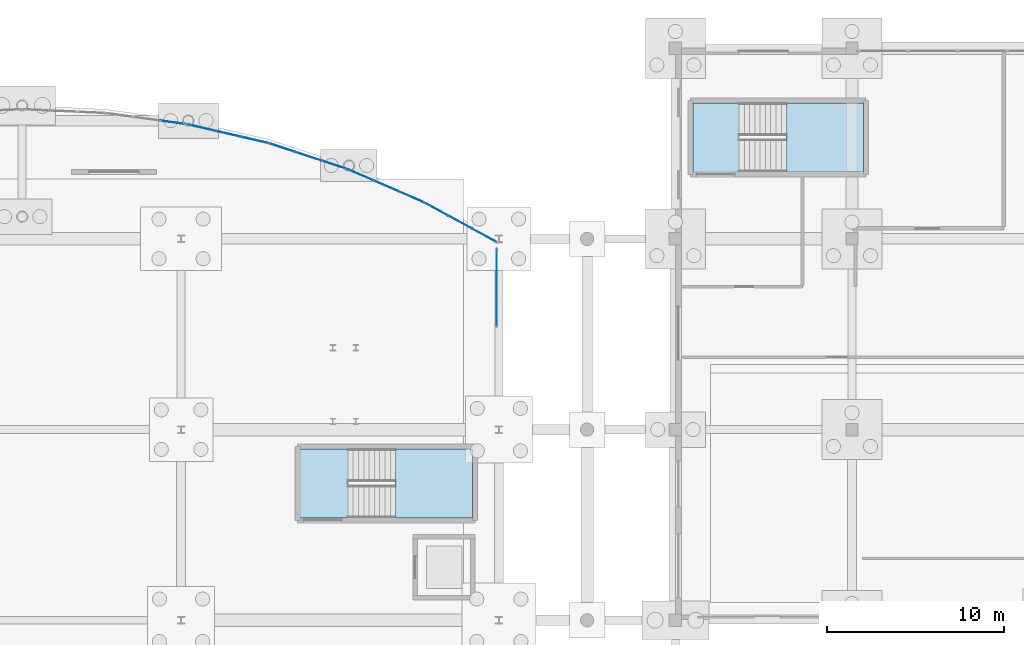
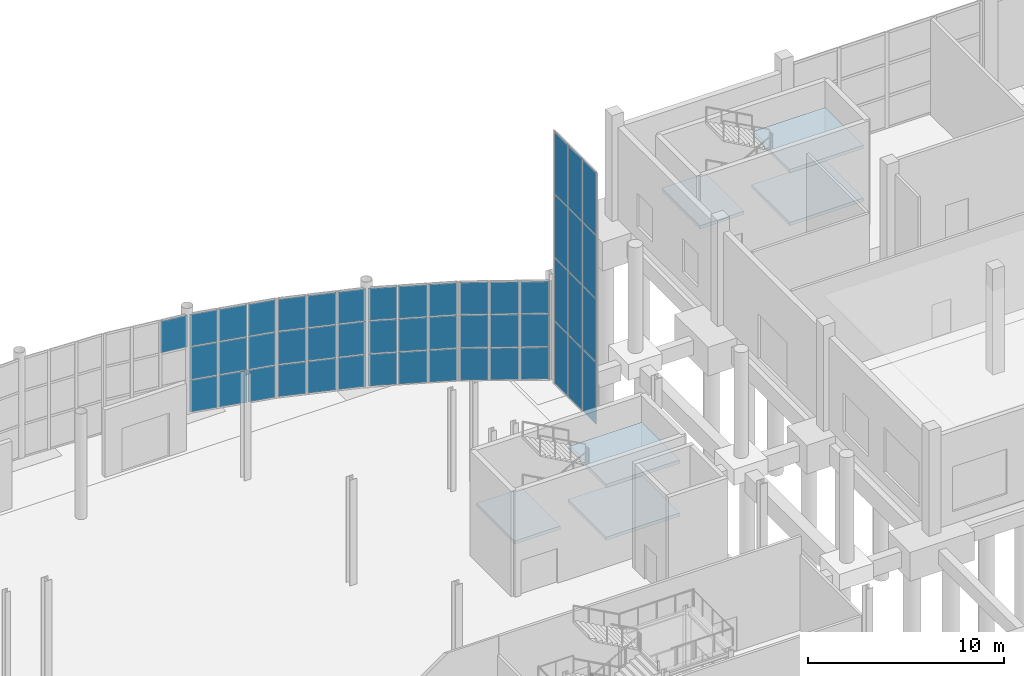
# One storey, part 82 of 115: 49 plates, 6 slabs, 8 elements without a shape of their own.
"""IFC4 building model written with IfcOpenShell, lengths in metres."""

from ifc_helpers import new_model, si_unit, direction, frame, origin, origin_2d, place, context, subcontext, project, spatial, polyline, rectangle, outline, extrude, material, layer, layer_set, type_object, element, aggregate, save


model = new_model("IFC4")

# Units and contexts
model_context = context("Model", 3, precision=1e-05, world=origin(), true_north=direction((0.0, 1.0)))
body_context = subcontext(model_context, "Body", "Model", "MODEL_VIEW")
ifc_project = project(units=[si_unit("LENGTHUNIT", "METRE"), si_unit("AREAUNIT", "SQUARE_METRE"), si_unit("VOLUMEUNIT", "CUBIC_METRE"), si_unit("PLANEANGLEUNIT", "RADIAN"), si_unit("MASSUNIT", "GRAM", prefix="KILO")], contexts=[model_context])

# Site, building, storey
site_placement = place(None, origin())
site = spatial("IfcSite", under=ifc_project, at=site_placement, CompositionType="ELEMENT")
building_placement = place(site_placement, origin())
building = spatial("IfcBuilding", under=site, at=building_placement, Name="Tamarisk Ironworks Central Station", CompositionType="ELEMENT")
storey_placement = place(building_placement, origin())
storey = spatial("IfcBuildingStorey", under=building, at=storey_placement, Name="L00", CompositionType="ELEMENT", Elevation=0.0)

# Curtain wall, plates
ifc_material_1 = material(Name="Anodized aluminium alloy 6063-T6", Category="aluminium")
ifc_layer_1 = layer(ifc_material_1, 0.179931640625)
ifc_layer_set_1 = layer_set([ifc_layer_1], Name="Anodized aluminium alloy 6063-T6")
curtain_wall_type_1 = type_object("IfcCurtainWallType", Name="CW-04", PredefinedType="USERDEFINED", material=ifc_layer_set_1)
curtain_wall_1_placement = place(storey_placement, origin())
curtain_wall_1 = element("IfcCurtainWall", 1, at=curtain_wall_1_placement, inside=storey, type_object=curtain_wall_type_1, Name="Concourse E track-overlook curtain wall 09", ObjectType="GLAZED CURTAIN WALL", PredefinedType="USERDEFINED")
ifc_layer_2 = layer(ifc_material_1, 0.02392578125)
ifc_layer_set_2 = layer_set([ifc_layer_2], Name="Anodized aluminium alloy 6063-T6")
plate_type_1 = type_object("IfcPlateType", Name="PL-CWP24", PredefinedType="CURTAIN_PANEL", material=ifc_layer_set_2)
plate_1_placement = place(storey_placement, frame((107.8798828125, 107.399658203125, 0.05908203125), z_axis=(0.0, 0.0, 1.0), x_axis=(0.0, 1.0, 0.0)))
plate_1 = element("IfcPlate", 2, at=plate_1_placement, type_object=plate_type_1, Name="CW04 panel 1.1", PredefinedType="CURTAIN_PANEL", context=body_context, shape_type="SweptSolid", body=[
    extrude(rectangle(XDim=1.381103515625, YDim=0.02392578125, at=origin_2d()), origin(), (0.0, 0.0, 1.0), 3.869384765625),
])
plate_2_placement = place(storey_placement, frame((107.8798828125, 107.399658203125, 3.9814453125), z_axis=(0.0, 0.0, 1.0), x_axis=(0.0, 1.0, 0.0)))
plate_2 = element("IfcPlate", 3, at=plate_2_placement, type_object=plate_type_1, Name="CW04 panel 1.2", PredefinedType="CURTAIN_PANEL", context=body_context, shape_type="SweptSolid", body=[
    extrude(rectangle(XDim=1.381103515625, YDim=0.02392578125, at=origin_2d()), origin(), (0.0, 0.0, 1.0), 3.902099609375),
])
plate_3_placement = place(storey_placement, frame((107.8798828125, 107.399658203125, 7.9365234375), z_axis=(0.0, 0.0, 1.0), x_axis=(0.0, 1.0, 0.0)))
plate_3 = element("IfcPlate", 4, at=plate_3_placement, type_object=plate_type_1, Name="CW04 panel 1.3", PredefinedType="CURTAIN_PANEL", context=body_context, shape_type="SweptSolid", body=[
    extrude(rectangle(XDim=1.381103515625, YDim=0.02392578125, at=origin_2d()), origin(), (0.0, 0.0, 1.0), 3.902099609375),
])
plate_4_placement = place(storey_placement, frame((107.8798828125, 107.399658203125, 11.8916015625), z_axis=(0.0, 0.0, 1.0), x_axis=(0.0, 1.0, 0.0)))
plate_4 = element("IfcPlate", 5, at=plate_4_placement, type_object=plate_type_1, Name="CW04 panel 1.4", PredefinedType="CURTAIN_PANEL", context=body_context, shape_type="SweptSolid", body=[
    extrude(rectangle(XDim=1.381103515625, YDim=0.02392578125, at=origin_2d()), origin(), (0.0, 0.0, 1.0), 3.869384765625),
])
plate_5_placement = place(storey_placement, frame((107.8798828125, 108.85009765625, 0.05908203125), z_axis=(0.0, 0.0, 1.0), x_axis=(0.0, 1.0, 0.0)))
plate_5 = element("IfcPlate", 6, at=plate_5_placement, type_object=plate_type_1, Name="CW04 panel 2.1", PredefinedType="CURTAIN_PANEL", context=body_context, shape_type="SweptSolid", body=[
    extrude(rectangle(XDim=1.41357421875, YDim=0.02392578125, at=origin_2d()), origin(), (0.0, 0.0, 1.0), 3.869384765625),
])
plate_6_placement = place(storey_placement, frame((107.8798828125, 108.85009765625, 3.9814453125), z_axis=(0.0, 0.0, 1.0), x_axis=(0.0, 1.0, 0.0)))
plate_6 = element("IfcPlate", 7, at=plate_6_placement, type_object=plate_type_1, Name="CW04 panel 2.2", PredefinedType="CURTAIN_PANEL", context=body_context, shape_type="SweptSolid", body=[
    extrude(rectangle(XDim=1.41357421875, YDim=0.02392578125, at=origin_2d()), origin(), (0.0, 0.0, 1.0), 3.902099609375),
])
plate_7_placement = place(storey_placement, frame((107.8798828125, 108.85009765625, 7.9365234375), z_axis=(0.0, 0.0, 1.0), x_axis=(0.0, 1.0, 0.0)))
plate_7 = element("IfcPlate", 8, at=plate_7_placement, type_object=plate_type_1, Name="CW04 panel 2.3", PredefinedType="CURTAIN_PANEL", context=body_context, shape_type="SweptSolid", body=[
    extrude(rectangle(XDim=1.41357421875, YDim=0.02392578125, at=origin_2d()), origin(), (0.0, 0.0, 1.0), 3.902099609375),
])
plate_8_placement = place(storey_placement, frame((107.8798828125, 108.85009765625, 11.8916015625), z_axis=(0.0, 0.0, 1.0), x_axis=(0.0, 1.0, 0.0)))
plate_8 = element("IfcPlate", 9, at=plate_8_placement, type_object=plate_type_1, Name="CW04 panel 2.4", PredefinedType="CURTAIN_PANEL", context=body_context, shape_type="SweptSolid", body=[
    extrude(rectangle(XDim=1.41357421875, YDim=0.02392578125, at=origin_2d()), origin(), (0.0, 0.0, 1.0), 3.869384765625),
])
plate_9_placement = place(storey_placement, frame((107.8798828125, 110.300537109375, 0.05908203125), z_axis=(0.0, 0.0, 1.0), x_axis=(0.0, 1.0, 0.0)))
plate_9 = element("IfcPlate", 10, at=plate_9_placement, type_object=plate_type_1, Name="CW04 panel 3.1", PredefinedType="CURTAIN_PANEL", context=body_context, shape_type="SweptSolid", body=[
    extrude(rectangle(XDim=1.381103515625, YDim=0.02392578125, at=origin_2d()), origin(), (0.0, 0.0, 1.0), 3.869384765625),
])
plate_10_placement = place(storey_placement, frame((107.8798828125, 110.300537109375, 3.9814453125), z_axis=(0.0, 0.0, 1.0), x_axis=(0.0, 1.0, 0.0)))
plate_10 = element("IfcPlate", 11, at=plate_10_placement, type_object=plate_type_1, Name="CW04 panel 3.2", PredefinedType="CURTAIN_PANEL", context=body_context, shape_type="SweptSolid", body=[
    extrude(rectangle(XDim=1.381103515625, YDim=0.02392578125, at=origin_2d()), origin(), (0.0, 0.0, 1.0), 3.902099609375),
])
plate_11_placement = place(storey_placement, frame((107.8798828125, 110.300537109375, 7.9365234375), z_axis=(0.0, 0.0, 1.0), x_axis=(0.0, 1.0, 0.0)))
plate_11 = element("IfcPlate", 12, at=plate_11_placement, type_object=plate_type_1, Name="CW04 panel 3.3", PredefinedType="CURTAIN_PANEL", context=body_context, shape_type="SweptSolid", body=[
    extrude(rectangle(XDim=1.381103515625, YDim=0.02392578125, at=origin_2d()), origin(), (0.0, 0.0, 1.0), 3.902099609375),
])
plate_12_placement = place(storey_placement, frame((107.8798828125, 110.300537109375, 11.8916015625), z_axis=(0.0, 0.0, 1.0), x_axis=(0.0, 1.0, 0.0)))
plate_12 = element("IfcPlate", 13, at=plate_12_placement, type_object=plate_type_1, Name="CW04 panel 3.4", PredefinedType="CURTAIN_PANEL", context=body_context, shape_type="SweptSolid", body=[
    extrude(rectangle(XDim=1.381103515625, YDim=0.02392578125, at=origin_2d()), origin(), (0.0, 0.0, 1.0), 3.869384765625),
])
aggregate(curtain_wall_1, [plate_1, plate_2, plate_3, plate_4, plate_5, plate_6, plate_7, plate_8, plate_9, plate_10, plate_11, plate_12])

# Curtain wall, plate
ifc_layer_3 = layer(ifc_material_1, 0.179931640625)
ifc_layer_set_3 = layer_set([ifc_layer_3], Name="Anodized aluminium alloy 6063-T6")
curtain_wall_type_2 = type_object("IfcCurtainWallType", Name="CW-01", PredefinedType="USERDEFINED", material=ifc_layer_set_3)
curtain_wall_2_placement = place(storey_placement, origin())
curtain_wall_2 = element("IfcCurtainWall", 14, at=curtain_wall_2_placement, inside=storey, type_object=curtain_wall_type_2, Name="NN rounded entrance hall L00 curtain wall bay 08", ObjectType="GLAZED CURTAIN WALL", PredefinedType="USERDEFINED")
ifc_material_2 = material(Name="Laminated solar-control low-E glass", Category="glass")
ifc_layer_4 = layer(ifc_material_2, 0.028076171875)
ifc_layer_set_4 = layer_set([ifc_layer_4], Name="Laminated solar-control low-E glass")
plate_type_2 = type_object("IfcPlateType", Name="PL-CWP28", PredefinedType="CURTAIN_PANEL", material=ifc_layer_set_4)
plate_13_placement = place(storey_placement, frame((89.576904296875, 118.193115234375, 4.173095703125), z_axis=(0.0, 0.0, 1.0), x_axis=(0.990703108403, -0.136041725218, 0.0)))
plate_13 = element("IfcPlate", 15, at=plate_13_placement, type_object=plate_type_2, Name="CW01 panel 3.3", PredefinedType="CURTAIN_PANEL", context=body_context, shape_type="SweptSolid", body=[
    extrude(rectangle(XDim=1.484375, YDim=0.028076171875, at=origin_2d()), origin(), (0.0, 0.0, 1.0), 1.98779296875),
])
aggregate(curtain_wall_2, [plate_13])

# Curtain wall, plates
curtain_wall_3_placement = place(storey_placement, origin())
curtain_wall_3 = element("IfcCurtainWall", 16, at=curtain_wall_3_placement, inside=storey, type_object=curtain_wall_type_2, Name="NN rounded entrance hall L00 curtain wall bay 09", ObjectType="GLAZED CURTAIN WALL", PredefinedType="USERDEFINED")
plate_14_placement = place(storey_placement, frame((91.151123046875, 117.9033203125, 0.05908203125), z_axis=(0.0, 0.0, 1.0), x_axis=(0.974239240545, -0.225516966506, 0.0)))
plate_14 = element("IfcPlate", 17, at=plate_14_placement, type_object=plate_type_2, Name="CW01 panel 1.1", PredefinedType="CURTAIN_PANEL", context=body_context, shape_type="SweptSolid", body=[
    extrude(rectangle(XDim=1.484375, YDim=0.028076171875, at=origin_2d()), origin(), (0.0, 0.0, 1.0), 1.98779296875),
])
plate_15_placement = place(storey_placement, frame((91.151123046875, 117.9033203125, 2.099853515625), z_axis=(0.0, 0.0, 1.0), x_axis=(0.974239240545, -0.225516966506, 0.0)))
plate_15 = element("IfcPlate", 18, at=plate_15_placement, type_object=plate_type_2, Name="CW01 panel 1.2", PredefinedType="CURTAIN_PANEL", context=body_context, shape_type="SweptSolid", body=[
    extrude(rectangle(XDim=1.484375, YDim=0.028076171875, at=origin_2d()), origin(), (0.0, 0.0, 1.0), 2.0205078125),
])
plate_16_placement = place(storey_placement, frame((91.151123046875, 117.9033203125, 4.173095703125), z_axis=(0.0, 0.0, 1.0), x_axis=(0.974239240545, -0.225516966506, 0.0)))
plate_16 = element("IfcPlate", 19, at=plate_16_placement, type_object=plate_type_2, Name="CW01 panel 1.3", PredefinedType="CURTAIN_PANEL", context=body_context, shape_type="SweptSolid", body=[
    extrude(rectangle(XDim=1.484375, YDim=0.028076171875, at=origin_2d()), origin(), (0.0, 0.0, 1.0), 1.98779296875),
])
plate_17_placement = place(storey_placement, frame((92.664794921875, 117.552978515625, 0.05908203125), z_axis=(0.0, 0.0, 1.0), x_axis=(0.974239240545, -0.225516966506, 0.0)))
plate_17 = element("IfcPlate", 20, at=plate_17_placement, type_object=plate_type_2, Name="CW01 panel 2.1", PredefinedType="CURTAIN_PANEL", context=body_context, shape_type="SweptSolid", body=[
    extrude(rectangle(XDim=1.516845703125, YDim=0.028076171875, at=origin_2d()), origin(), (0.0, 0.0, 1.0), 1.98779296875),
])
plate_18_placement = place(storey_placement, frame((92.664794921875, 117.552978515625, 2.099853515625), z_axis=(0.0, 0.0, 1.0), x_axis=(0.974239240545, -0.225516966506, 0.0)))
plate_18 = element("IfcPlate", 21, at=plate_18_placement, type_object=plate_type_2, Name="CW01 panel 2.2", PredefinedType="CURTAIN_PANEL", context=body_context, shape_type="SweptSolid", body=[
    extrude(rectangle(XDim=1.516845703125, YDim=0.028076171875, at=origin_2d()), origin(), (0.0, 0.0, 1.0), 2.0205078125),
])
plate_19_placement = place(storey_placement, frame((92.664794921875, 117.552978515625, 4.173095703125), z_axis=(0.0, 0.0, 1.0), x_axis=(0.974239240545, -0.225516966506, 0.0)))
plate_19 = element("IfcPlate", 22, at=plate_19_placement, type_object=plate_type_2, Name="CW01 panel 2.3", PredefinedType="CURTAIN_PANEL", context=body_context, shape_type="SweptSolid", body=[
    extrude(rectangle(XDim=1.516845703125, YDim=0.028076171875, at=origin_2d()), origin(), (0.0, 0.0, 1.0), 1.98779296875),
])
plate_20_placement = place(storey_placement, frame((94.178466796875, 117.20263671875, 0.05908203125), z_axis=(0.0, 0.0, 1.0), x_axis=(0.974239240545, -0.225516966506, 0.0)))
plate_20 = element("IfcPlate", 23, at=plate_20_placement, type_object=plate_type_2, Name="CW01 panel 3.1", PredefinedType="CURTAIN_PANEL", context=body_context, shape_type="SweptSolid", body=[
    extrude(rectangle(XDim=1.484375, YDim=0.028076171875, at=origin_2d()), origin(), (0.0, 0.0, 1.0), 1.98779296875),
])
plate_21_placement = place(storey_placement, frame((94.178466796875, 117.20263671875, 2.099853515625), z_axis=(0.0, 0.0, 1.0), x_axis=(0.974239240545, -0.225516966506, 0.0)))
plate_21 = element("IfcPlate", 24, at=plate_21_placement, type_object=plate_type_2, Name="CW01 panel 3.2", PredefinedType="CURTAIN_PANEL", context=body_context, shape_type="SweptSolid", body=[
    extrude(rectangle(XDim=1.484375, YDim=0.028076171875, at=origin_2d()), origin(), (0.0, 0.0, 1.0), 2.0205078125),
])
plate_22_placement = place(storey_placement, frame((94.178466796875, 117.20263671875, 4.173095703125), z_axis=(0.0, 0.0, 1.0), x_axis=(0.974239240545, -0.225516966506, 0.0)))
plate_22 = element("IfcPlate", 25, at=plate_22_placement, type_object=plate_type_2, Name="CW01 panel 3.3", PredefinedType="CURTAIN_PANEL", context=body_context, shape_type="SweptSolid", body=[
    extrude(rectangle(XDim=1.484375, YDim=0.028076171875, at=origin_2d()), origin(), (0.0, 0.0, 1.0), 1.98779296875),
])
aggregate(curtain_wall_3, [plate_14, plate_15, plate_16, plate_17, plate_18, plate_19, plate_20, plate_21, plate_22])

curtain_wall_4_placement = place(storey_placement, origin())
curtain_wall_4 = element("IfcCurtainWall", 26, at=curtain_wall_4_placement, inside=storey, type_object=curtain_wall_type_2, Name="NN rounded entrance hall L00 curtain wall bay 10", ObjectType="GLAZED CURTAIN WALL", PredefinedType="USERDEFINED")
plate_23_placement = place(storey_placement, frame((95.7197265625, 116.771240234375, 0.05908203125), z_axis=(0.0, 0.0, 1.0), x_axis=(0.949720671692, -0.313098460171, 0.0)))
plate_23 = element("IfcPlate", 27, at=plate_23_placement, type_object=plate_type_2, Name="CW01 panel 1.1", PredefinedType="CURTAIN_PANEL", context=body_context, shape_type="SweptSolid", body=[
    extrude(rectangle(XDim=1.484375, YDim=0.028076171875, at=origin_2d()), origin(), (0.0, 0.0, 1.0), 1.98779296875),
])
plate_24_placement = place(storey_placement, frame((95.7197265625, 116.771240234375, 2.099853515625), z_axis=(0.0, 0.0, 1.0), x_axis=(0.949720671692, -0.313098460171, 0.0)))
plate_24 = element("IfcPlate", 28, at=plate_24_placement, type_object=plate_type_2, Name="CW01 panel 1.2", PredefinedType="CURTAIN_PANEL", context=body_context, shape_type="SweptSolid", body=[
    extrude(rectangle(XDim=1.484375, YDim=0.028076171875, at=origin_2d()), origin(), (0.0, 0.0, 1.0), 2.0205078125),
])
plate_25_placement = place(storey_placement, frame((95.7197265625, 116.771240234375, 4.173095703125), z_axis=(0.0, 0.0, 1.0), x_axis=(0.949720671692, -0.313098460171, 0.0)))
plate_25 = element("IfcPlate", 29, at=plate_25_placement, type_object=plate_type_2, Name="CW01 panel 1.3", PredefinedType="CURTAIN_PANEL", context=body_context, shape_type="SweptSolid", body=[
    extrude(rectangle(XDim=1.484375, YDim=0.028076171875, at=origin_2d()), origin(), (0.0, 0.0, 1.0), 1.98779296875),
])
plate_26_placement = place(storey_placement, frame((97.1953125, 116.28466796875, 0.05908203125), z_axis=(0.0, 0.0, 1.0), x_axis=(0.949720671692, -0.313098460171, 0.0)))
plate_26 = element("IfcPlate", 30, at=plate_26_placement, type_object=plate_type_2, Name="CW01 panel 2.1", PredefinedType="CURTAIN_PANEL", context=body_context, shape_type="SweptSolid", body=[
    extrude(rectangle(XDim=1.516845703125, YDim=0.028076171875, at=origin_2d()), origin(), (0.0, 0.0, 1.0), 1.98779296875),
])
plate_27_placement = place(storey_placement, frame((97.1953125, 116.28466796875, 2.099853515625), z_axis=(0.0, 0.0, 1.0), x_axis=(0.949720671692, -0.313098460171, 0.0)))
plate_27 = element("IfcPlate", 31, at=plate_27_placement, type_object=plate_type_2, Name="CW01 panel 2.2", PredefinedType="CURTAIN_PANEL", context=body_context, shape_type="SweptSolid", body=[
    extrude(rectangle(XDim=1.516845703125, YDim=0.028076171875, at=origin_2d()), origin(), (0.0, 0.0, 1.0), 2.0205078125),
])
plate_28_placement = place(storey_placement, frame((97.1953125, 116.28466796875, 4.173095703125), z_axis=(0.0, 0.0, 1.0), x_axis=(0.949720671692, -0.313098460171, 0.0)))
plate_28 = element("IfcPlate", 32, at=plate_28_placement, type_object=plate_type_2, Name="CW01 panel 2.3", PredefinedType="CURTAIN_PANEL", context=body_context, shape_type="SweptSolid", body=[
    extrude(rectangle(XDim=1.516845703125, YDim=0.028076171875, at=origin_2d()), origin(), (0.0, 0.0, 1.0), 1.98779296875),
])
plate_29_placement = place(storey_placement, frame((98.6708984375, 115.79833984375, 0.05908203125), z_axis=(0.0, 0.0, 1.0), x_axis=(0.949720671692, -0.313098460171, 0.0)))
plate_29 = element("IfcPlate", 33, at=plate_29_placement, type_object=plate_type_2, Name="CW01 panel 3.1", PredefinedType="CURTAIN_PANEL", context=body_context, shape_type="SweptSolid", body=[
    extrude(rectangle(XDim=1.484375, YDim=0.028076171875, at=origin_2d()), origin(), (0.0, 0.0, 1.0), 1.98779296875),
])
plate_30_placement = place(storey_placement, frame((98.6708984375, 115.79833984375, 2.099853515625), z_axis=(0.0, 0.0, 1.0), x_axis=(0.949720671692, -0.313098460171, 0.0)))
plate_30 = element("IfcPlate", 34, at=plate_30_placement, type_object=plate_type_2, Name="CW01 panel 3.2", PredefinedType="CURTAIN_PANEL", context=body_context, shape_type="SweptSolid", body=[
    extrude(rectangle(XDim=1.484375, YDim=0.028076171875, at=origin_2d()), origin(), (0.0, 0.0, 1.0), 2.0205078125),
])
plate_31_placement = place(storey_placement, frame((98.6708984375, 115.79833984375, 4.173095703125), z_axis=(0.0, 0.0, 1.0), x_axis=(0.949720671692, -0.313098460171, 0.0)))
plate_31 = element("IfcPlate", 35, at=plate_31_placement, type_object=plate_type_2, Name="CW01 panel 3.3", PredefinedType="CURTAIN_PANEL", context=body_context, shape_type="SweptSolid", body=[
    extrude(rectangle(XDim=1.484375, YDim=0.028076171875, at=origin_2d()), origin(), (0.0, 0.0, 1.0), 1.98779296875),
])
aggregate(curtain_wall_4, [plate_23, plate_24, plate_25, plate_26, plate_27, plate_28, plate_29, plate_30, plate_31])

curtain_wall_5_placement = place(storey_placement, origin())
curtain_wall_5 = element("IfcCurtainWall", 36, at=curtain_wall_5_placement, inside=storey, type_object=curtain_wall_type_2, Name="NN rounded entrance hall L00 curtain wall bay 11", ObjectType="GLAZED CURTAIN WALL", PredefinedType="USERDEFINED")
plate_32_placement = place(storey_placement, frame((100.166748046875, 115.228515625, 0.05908203125), z_axis=(0.0, 0.0, 1.0), x_axis=(0.917352033503, -0.398076935564, 0.0)))
plate_32 = element("IfcPlate", 37, at=plate_32_placement, type_object=plate_type_2, Name="CW01 panel 1.1", PredefinedType="CURTAIN_PANEL", context=body_context, shape_type="SweptSolid", body=[
    extrude(rectangle(XDim=1.484375, YDim=0.028076171875, at=origin_2d()), origin(), (0.0, 0.0, 1.0), 1.98779296875),
])
plate_33_placement = place(storey_placement, frame((100.166748046875, 115.228515625, 2.099853515625), z_axis=(0.0, 0.0, 1.0), x_axis=(0.917352033503, -0.398076935564, 0.0)))
plate_33 = element("IfcPlate", 38, at=plate_33_placement, type_object=plate_type_2, Name="CW01 panel 1.2", PredefinedType="CURTAIN_PANEL", context=body_context, shape_type="SweptSolid", body=[
    extrude(rectangle(XDim=1.484375, YDim=0.028076171875, at=origin_2d()), origin(), (0.0, 0.0, 1.0), 2.0205078125),
])
plate_34_placement = place(storey_placement, frame((100.166748046875, 115.228515625, 4.173095703125), z_axis=(0.0, 0.0, 1.0), x_axis=(0.917352033503, -0.398076935564, 0.0)))
plate_34 = element("IfcPlate", 39, at=plate_34_placement, type_object=plate_type_2, Name="CW01 panel 1.3", PredefinedType="CURTAIN_PANEL", context=body_context, shape_type="SweptSolid", body=[
    extrude(rectangle(XDim=1.484375, YDim=0.028076171875, at=origin_2d()), origin(), (0.0, 0.0, 1.0), 1.98779296875),
])
plate_35_placement = place(storey_placement, frame((101.592041015625, 114.610107421875, 0.05908203125), z_axis=(0.0, 0.0, 1.0), x_axis=(0.917352033503, -0.398076935564, 0.0)))
plate_35 = element("IfcPlate", 40, at=plate_35_placement, type_object=plate_type_2, Name="CW01 panel 2.1", PredefinedType="CURTAIN_PANEL", context=body_context, shape_type="SweptSolid", body=[
    extrude(rectangle(XDim=1.516845703125, YDim=0.028076171875, at=origin_2d()), origin(), (0.0, 0.0, 1.0), 1.98779296875),
])
plate_36_placement = place(storey_placement, frame((101.592041015625, 114.610107421875, 2.099853515625), z_axis=(0.0, 0.0, 1.0), x_axis=(0.917352033503, -0.398076935564, 0.0)))
plate_36 = element("IfcPlate", 41, at=plate_36_placement, type_object=plate_type_2, Name="CW01 panel 2.2", PredefinedType="CURTAIN_PANEL", context=body_context, shape_type="SweptSolid", body=[
    extrude(rectangle(XDim=1.516845703125, YDim=0.028076171875, at=origin_2d()), origin(), (0.0, 0.0, 1.0), 2.0205078125),
])
plate_37_placement = place(storey_placement, frame((101.592041015625, 114.610107421875, 4.173095703125), z_axis=(0.0, 0.0, 1.0), x_axis=(0.917352033503, -0.398076935564, 0.0)))
plate_37 = element("IfcPlate", 42, at=plate_37_placement, type_object=plate_type_2, Name="CW01 panel 2.3", PredefinedType="CURTAIN_PANEL", context=body_context, shape_type="SweptSolid", body=[
    extrude(rectangle(XDim=1.516845703125, YDim=0.028076171875, at=origin_2d()), origin(), (0.0, 0.0, 1.0), 1.98779296875),
])
plate_38_placement = place(storey_placement, frame((103.017333984375, 113.991455078125, 0.05908203125), z_axis=(0.0, 0.0, 1.0), x_axis=(0.917352033503, -0.398076935564, 0.0)))
plate_38 = element("IfcPlate", 43, at=plate_38_placement, type_object=plate_type_2, Name="CW01 panel 3.1", PredefinedType="CURTAIN_PANEL", context=body_context, shape_type="SweptSolid", body=[
    extrude(rectangle(XDim=1.484375, YDim=0.028076171875, at=origin_2d()), origin(), (0.0, 0.0, 1.0), 1.98779296875),
])
plate_39_placement = place(storey_placement, frame((103.017333984375, 113.991455078125, 2.099853515625), z_axis=(0.0, 0.0, 1.0), x_axis=(0.917352033503, -0.398076935564, 0.0)))
plate_39 = element("IfcPlate", 44, at=plate_39_placement, type_object=plate_type_2, Name="CW01 panel 3.2", PredefinedType="CURTAIN_PANEL", context=body_context, shape_type="SweptSolid", body=[
    extrude(rectangle(XDim=1.484375, YDim=0.028076171875, at=origin_2d()), origin(), (0.0, 0.0, 1.0), 2.0205078125),
])
plate_40_placement = place(storey_placement, frame((103.017333984375, 113.991455078125, 4.173095703125), z_axis=(0.0, 0.0, 1.0), x_axis=(0.917352033503, -0.398076935564, 0.0)))
plate_40 = element("IfcPlate", 45, at=plate_40_placement, type_object=plate_type_2, Name="CW01 panel 3.3", PredefinedType="CURTAIN_PANEL", context=body_context, shape_type="SweptSolid", body=[
    extrude(rectangle(XDim=1.484375, YDim=0.028076171875, at=origin_2d()), origin(), (0.0, 0.0, 1.0), 1.98779296875),
])
aggregate(curtain_wall_5, [plate_32, plate_33, plate_34, plate_35, plate_36, plate_37, plate_38, plate_39, plate_40])

curtain_wall_6_placement = place(storey_placement, origin())
curtain_wall_6 = element("IfcCurtainWall", 46, at=curtain_wall_6_placement, inside=storey, type_object=curtain_wall_type_2, Name="NN rounded entrance hall L00 curtain wall bay 12", ObjectType="GLAZED CURTAIN WALL", PredefinedType="USERDEFINED")
plate_41_placement = place(storey_placement, frame((104.455078125, 113.2880859375, 0.05908203125), z_axis=(0.0, 0.0, 1.0), x_axis=(0.877374910495, -0.47980544644, 0.0)))
plate_41 = element("IfcPlate", 47, at=plate_41_placement, type_object=plate_type_2, Name="CW01 panel 1.1", PredefinedType="CURTAIN_PANEL", context=body_context, shape_type="SweptSolid", body=[
    extrude(rectangle(XDim=1.484375, YDim=0.028076171875, at=origin_2d()), origin(), (0.0, 0.0, 1.0), 1.98779296875),
])
plate_42_placement = place(storey_placement, frame((104.455078125, 113.2880859375, 2.099853515625), z_axis=(0.0, 0.0, 1.0), x_axis=(0.877374910495, -0.47980544644, 0.0)))
plate_42 = element("IfcPlate", 48, at=plate_42_placement, type_object=plate_type_2, Name="CW01 panel 1.2", PredefinedType="CURTAIN_PANEL", context=body_context, shape_type="SweptSolid", body=[
    extrude(rectangle(XDim=1.484375, YDim=0.028076171875, at=origin_2d()), origin(), (0.0, 0.0, 1.0), 2.0205078125),
])
plate_43_placement = place(storey_placement, frame((104.455078125, 113.2880859375, 4.173095703125), z_axis=(0.0, 0.0, 1.0), x_axis=(0.877374910495, -0.47980544644, 0.0)))
plate_43 = element("IfcPlate", 49, at=plate_43_placement, type_object=plate_type_2, Name="CW01 panel 1.3", PredefinedType="CURTAIN_PANEL", context=body_context, shape_type="SweptSolid", body=[
    extrude(rectangle(XDim=1.484375, YDim=0.028076171875, at=origin_2d()), origin(), (0.0, 0.0, 1.0), 1.98779296875),
])
plate_44_placement = place(storey_placement, frame((105.818359375, 112.542724609375, 0.05908203125), z_axis=(0.0, 0.0, 1.0), x_axis=(0.877374910495, -0.47980544644, 0.0)))
plate_44 = element("IfcPlate", 50, at=plate_44_placement, type_object=plate_type_2, Name="CW01 panel 2.1", PredefinedType="CURTAIN_PANEL", context=body_context, shape_type="SweptSolid", body=[
    extrude(rectangle(XDim=1.516845703125, YDim=0.028076171875, at=origin_2d()), origin(), (0.0, 0.0, 1.0), 1.98779296875),
])
plate_45_placement = place(storey_placement, frame((105.818359375, 112.542724609375, 2.099853515625), z_axis=(0.0, 0.0, 1.0), x_axis=(0.877374910495, -0.47980544644, 0.0)))
plate_45 = element("IfcPlate", 51, at=plate_45_placement, type_object=plate_type_2, Name="CW01 panel 2.2", PredefinedType="CURTAIN_PANEL", context=body_context, shape_type="SweptSolid", body=[
    extrude(rectangle(XDim=1.516845703125, YDim=0.028076171875, at=origin_2d()), origin(), (0.0, 0.0, 1.0), 2.0205078125),
])
plate_46_placement = place(storey_placement, frame((105.818359375, 112.542724609375, 4.173095703125), z_axis=(0.0, 0.0, 1.0), x_axis=(0.877374910495, -0.47980544644, 0.0)))
plate_46 = element("IfcPlate", 52, at=plate_46_placement, type_object=plate_type_2, Name="CW01 panel 2.3", PredefinedType="CURTAIN_PANEL", context=body_context, shape_type="SweptSolid", body=[
    extrude(rectangle(XDim=1.516845703125, YDim=0.028076171875, at=origin_2d()), origin(), (0.0, 0.0, 1.0), 1.98779296875),
])
plate_47_placement = place(storey_placement, frame((107.181396484375, 111.79736328125, 0.05908203125), z_axis=(0.0, 0.0, 1.0), x_axis=(0.877374910495, -0.47980544644, 0.0)))
plate_47 = element("IfcPlate", 53, at=plate_47_placement, type_object=plate_type_2, Name="CW01 panel 3.1", PredefinedType="CURTAIN_PANEL", context=body_context, shape_type="SweptSolid", body=[
    extrude(rectangle(XDim=1.484375, YDim=0.028076171875, at=origin_2d()), origin(), (0.0, 0.0, 1.0), 1.98779296875),
])
plate_48_placement = place(storey_placement, frame((107.181396484375, 111.79736328125, 2.099853515625), z_axis=(0.0, 0.0, 1.0), x_axis=(0.877374910495, -0.47980544644, 0.0)))
plate_48 = element("IfcPlate", 54, at=plate_48_placement, type_object=plate_type_2, Name="CW01 panel 3.2", PredefinedType="CURTAIN_PANEL", context=body_context, shape_type="SweptSolid", body=[
    extrude(rectangle(XDim=1.484375, YDim=0.028076171875, at=origin_2d()), origin(), (0.0, 0.0, 1.0), 2.0205078125),
])
plate_49_placement = place(storey_placement, frame((107.181396484375, 111.79736328125, 4.173095703125), z_axis=(0.0, 0.0, 1.0), x_axis=(0.877374910495, -0.47980544644, 0.0)))
plate_49 = element("IfcPlate", 55, at=plate_49_placement, type_object=plate_type_2, Name="CW01 panel 3.3", PredefinedType="CURTAIN_PANEL", context=body_context, shape_type="SweptSolid", body=[
    extrude(rectangle(XDim=1.484375, YDim=0.028076171875, at=origin_2d()), origin(), (0.0, 0.0, 1.0), 1.98779296875),
])
aggregate(curtain_wall_6, [plate_41, plate_42, plate_43, plate_44, plate_45, plate_46, plate_47, plate_48, plate_49])

# Stair, slabs
ifc_material_3 = material(Name="Concrete C35/45", Category="concrete")
stair_type_1 = type_object("IfcStairType", Name="ST-CORE-C", PredefinedType="HALF_TURN_STAIR", material=ifc_material_3)
stair_1_placement = place(storey_placement, origin())
stair_1 = element("IfcStair", 56, at=stair_1_placement, inside=storey, type_object=stair_type_1, Name="L00 Courtyard Exit Stair Core 5", PredefinedType="HALF_TURN_STAIR")
ifc_layer_5 = layer(ifc_material_3, 0.215087890625)
ifc_layer_set_5 = layer_set([ifc_layer_5], Name="Concrete C35/45")
slab_type = type_object("IfcSlabType", Name="SL-LD220", PredefinedType="LANDING", material=ifc_layer_set_5)
slab_1_placement = place(storey_placement, frame((0.0, 0.0, 1.449951171875)))
slab_1 = element("IfcSlab", 57, at=slab_1_placement, type_object=slab_type, Name="ST-C5 landing 1", PredefinedType="LANDING", context=body_context, shape_type="SweptSolid", body=[
    extrude(outline(polyline([(124.300048828125, 115.39990234375), (128.64990234375, 115.39990234375), (128.64990234375, 119.300048828125), (124.300048828125, 119.300048828125), (124.300048828125, 115.39990234375)])), origin(), (0.0, 0.0, 1.0), 0.199951171875),
])
slab_2_placement = place(storey_placement, frame((0.0, 0.0, 3.10009765625)))
slab_2 = element("IfcSlab", 58, at=slab_2_placement, type_object=slab_type, Name="ST-C5 landing 2", PredefinedType="LANDING", context=body_context, shape_type="SweptSolid", body=[
    extrude(outline(polyline([(119.0, 115.39990234375), (121.60009765625, 115.39990234375), (121.60009765625, 119.300048828125), (119.0, 119.300048828125), (119.0, 115.39990234375)])), origin(), (0.0, 0.0, 1.0), 0.199951171875),
])
slab_3_placement = place(storey_placement, frame((0.0, 0.0, 4.75)))
slab_3 = element("IfcSlab", 59, at=slab_3_placement, type_object=slab_type, Name="ST-C5 landing 3", PredefinedType="LANDING", context=body_context, shape_type="SweptSolid", body=[
    extrude(outline(polyline([(124.300048828125, 115.39990234375), (128.64990234375, 115.39990234375), (128.64990234375, 119.300048828125), (124.300048828125, 119.300048828125), (124.300048828125, 115.39990234375)])), origin(), (0.0, 0.0, 1.0), 0.199951171875),
])
aggregate(stair_1, [slab_1, slab_2, slab_3])

stair_type_2 = type_object("IfcStairType", Name="ST-CORE-B", PredefinedType="HALF_TURN_STAIR", material=ifc_material_3)
stair_2_placement = place(storey_placement, origin())
stair_2 = element("IfcStair", 60, at=stair_2_placement, inside=storey, type_object=stair_type_2, Name="L00 East Concourse Exit Stair Core 4", PredefinedType="HALF_TURN_STAIR")
slab_4_placement = place(storey_placement, frame((0.0, 0.0, 1.449951171875)))
slab_4 = element("IfcSlab", 61, at=slab_4_placement, type_object=slab_type, Name="ST-C4 landing 1", PredefinedType="LANDING", context=body_context, shape_type="SweptSolid", body=[
    extrude(outline(polyline([(102.14990234375, 95.800048828125), (106.5, 95.800048828125), (106.5, 99.699951171875), (102.14990234375, 99.699951171875), (102.14990234375, 95.800048828125)])), origin(), (0.0, 0.0, 1.0), 0.199951171875),
])
slab_5_placement = place(storey_placement, frame((0.0, 0.0, 3.10009765625)))
slab_5 = element("IfcSlab", 62, at=slab_5_placement, type_object=slab_type, Name="ST-C4 landing 2", PredefinedType="LANDING", context=body_context, shape_type="SweptSolid", body=[
    extrude(outline(polyline([(96.75, 95.800048828125), (99.449951171875, 95.800048828125), (99.449951171875, 99.699951171875), (96.75, 99.699951171875), (96.75, 95.800048828125)])), origin(), (0.0, 0.0, 1.0), 0.199951171875),
])
slab_6_placement = place(storey_placement, frame((0.0, 0.0, 4.75)))
slab_6 = element("IfcSlab", 63, at=slab_6_placement, type_object=slab_type, Name="ST-C4 landing 3", PredefinedType="LANDING", context=body_context, shape_type="SweptSolid", body=[
    extrude(outline(polyline([(102.14990234375, 95.800048828125), (106.5, 95.800048828125), (106.5, 99.699951171875), (102.14990234375, 99.699951171875), (102.14990234375, 95.800048828125)])), origin(), (0.0, 0.0, 1.0), 0.199951171875),
])
aggregate(stair_2, [slab_4, slab_5, slab_6])

save(model, "model.ifc")
